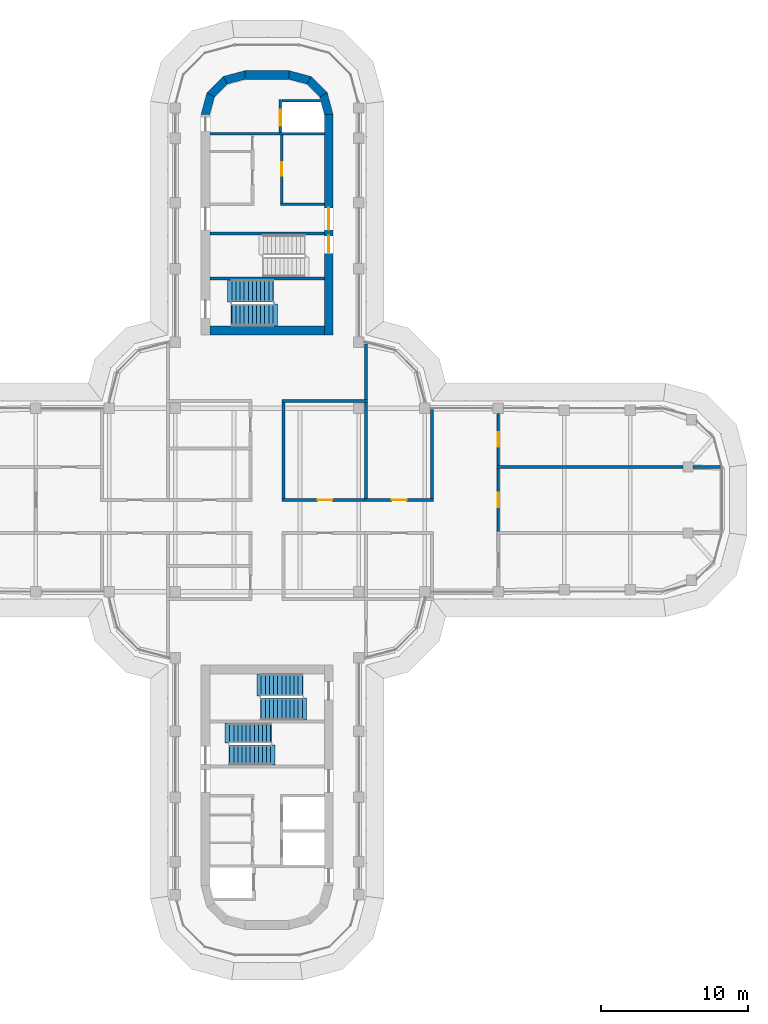
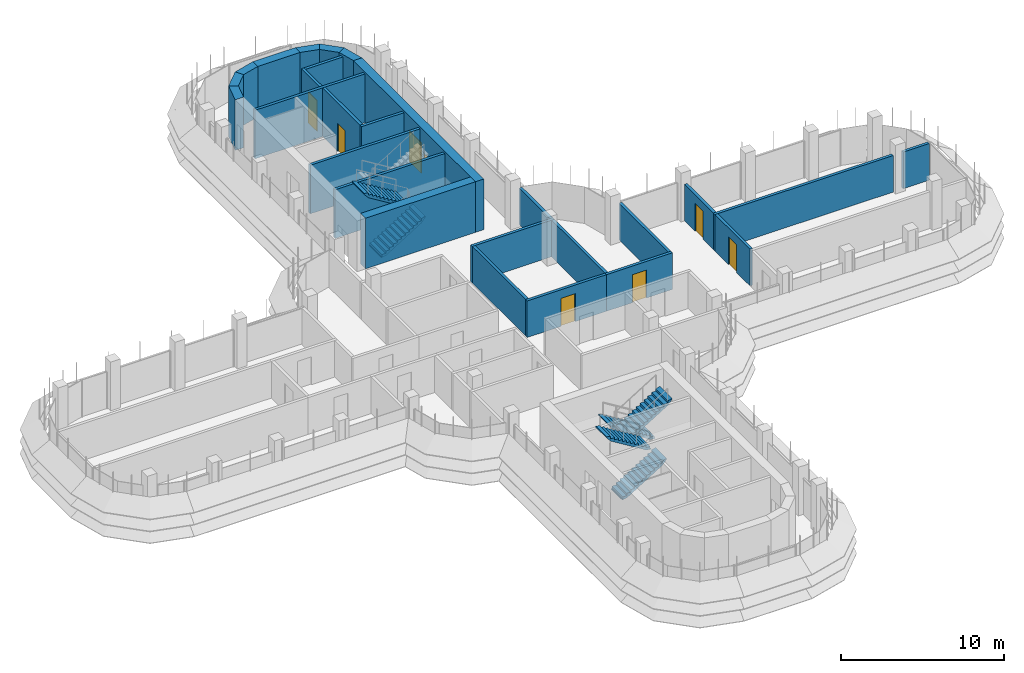
# One storey, part 15 of 19: 27 walls, 8 doors, 6 stair flights, 8 openings, 3 elements without a shape of their own.
"""IFC4 building model written with IfcOpenShell, lengths in metres."""

from ifc_helpers import new_model, si_unit, direction, frame, frame_2d, origin, place, context, subcontext, project, spatial, polyline, rectangle, outline, extrude, material, layer, layer_set, type_object, element, fill, aggregate, save


model = new_model("IFC4")

# Units and contexts
model_context = context("Model", 3, precision=1e-05, world=origin(), true_north=direction((0.0, 1.0)))
body_context = subcontext(model_context, "Body", "Model", "MODEL_VIEW")
ifc_project = project(units=[si_unit("LENGTHUNIT", "METRE"), si_unit("AREAUNIT", "SQUARE_METRE"), si_unit("VOLUMEUNIT", "CUBIC_METRE"), si_unit("PLANEANGLEUNIT", "RADIAN"), si_unit("MASSUNIT", "GRAM", prefix="KILO")], contexts=[model_context])

# Site, building, storey
site_placement = place(None, origin())
site = spatial("IfcSite", under=ifc_project, at=site_placement, CompositionType="ELEMENT")
building_placement = place(site_placement, origin())
building = spatial("IfcBuilding", under=site, at=building_placement, Name="Zarbagh Exchange Tower", CompositionType="ELEMENT")
storey_placement = place(building_placement, frame((0.0, 0.0, 195.39990234375)))
storey = spatial("IfcBuildingStorey", under=building, at=storey_placement, Name="L47", CompositionType="ELEMENT", Elevation=195.39990234375)

# Wall, opening, door
ifc_material_1 = material(Name="Fire-rated plasterboard partition")
ifc_layer_1 = layer(ifc_material_1, 0.199951171875)
ifc_layer_set_1 = layer_set([ifc_layer_1], Name="RATED PARTITION 200")
wall_type_1 = type_object("IfcWallType", Name="RATED PARTITION 200", PredefinedType="PARTITIONING", material=ifc_layer_set_1)
wall_1_placement = place(storey_placement, frame((1.02490234375, 0.0, 0.0), z_axis=(0.0, 0.0, 1.0), x_axis=(1.0, 0.0, 0.0)))
wall_1 = element("IfcWall", 1, at=wall_1_placement, inside=storey, type_object=wall_type_1, Name="Partition W-2101", PredefinedType="PARTITIONING", context=body_context, shape_type="SweptSolid", body=[
    extrude(rectangle(XDim=5.8251953125, YDim=0.199951171875, at=frame_2d((2.91259765625, 0.0))), origin(), (0.0, 0.0, 1.0), 2.75),
])
opening_1_placement = place(wall_1_placement, frame((2.41259765625, 0.0, 0.0)))
opening_1 = element("IfcOpeningElement", 2, at=opening_1_placement, cuts=wall_1, Name="Opening D-2104", PredefinedType="OPENING", context=body_context, shape_type="SweptSolid", body=[
    extrude(rectangle(XDim=1.0, YDim=2.10009765625, at=frame_2d((0.5, 1.050048828125))), frame((0.0, 0.10986328125, 0.0), z_axis=(0.0, -1.0, 0.0), x_axis=(1.0, 0.0, 0.0)), (0.0, 0.0, 1.0), 0.219970703125),
])
ifc_material_2 = material(Name="Steel door set", Category="steel")
door_type_1 = type_object("IfcDoorType", Name="FIRE DOOR 1000 X 2100 FD30S", OperationType="NOTDEFINED", PredefinedType="DOOR", material=ifc_material_2)
door_1_placement = place(opening_1_placement, origin())
door_1 = element("IfcDoor", 3, at=door_1_placement, inside=storey, type_object=door_type_1, Name="Door D-2104", OperationType="SINGLE_SWING_RIGHT", OverallHeight=2.10009765625, OverallWidth=1.0, PredefinedType="DOOR", context=body_context, shape_type="SweptSolid", body=[
    extrude(rectangle(XDim=1.0, YDim=2.10009765625, at=frame_2d((0.5, 1.050048828125))), frame((0.0, 0.02490234375, 0.0), z_axis=(0.0, -1.0, 0.0), x_axis=(1.0, 0.0, 0.0)), (0.0, 0.0, 1.0), 0.050048828125),
])
fill(opening_1, door_1)

wall_2_placement = place(storey_placement, frame((6.64990234375, 0.0, 0.0), z_axis=(0.0, 0.0, 1.0), x_axis=(1.0, 0.0, 0.0)))
wall_2 = element("IfcWall", 4, at=wall_2_placement, inside=storey, type_object=wall_type_1, Name="Partition W-2102", PredefinedType="PARTITIONING", context=body_context, shape_type="SweptSolid", body=[
    extrude(rectangle(XDim=4.7001953125, YDim=0.199951171875, at=frame_2d((2.35009765625, 0.0))), origin(), (0.0, 0.0, 1.0), 2.75),
])
opening_2_placement = place(wall_2_placement, frame((1.85009765625, 0.0, 0.0)))
opening_2 = element("IfcOpeningElement", 5, at=opening_2_placement, cuts=wall_2, Name="Opening D-2105", PredefinedType="OPENING", context=body_context, shape_type="SweptSolid", body=[
    extrude(rectangle(XDim=1.0, YDim=2.10009765625, at=frame_2d((0.5, 1.050048828125))), frame((0.0, 0.10986328125, 0.0), z_axis=(0.0, -1.0, 0.0), x_axis=(1.0, 0.0, 0.0)), (0.0, 0.0, 1.0), 0.219970703125),
])
door_2_placement = place(opening_2_placement, origin())
door_2 = element("IfcDoor", 6, at=door_2_placement, inside=storey, type_object=door_type_1, Name="Door D-2105", OperationType="SINGLE_SWING_RIGHT", OverallHeight=2.10009765625, OverallWidth=1.0, PredefinedType="DOOR", context=body_context, shape_type="SweptSolid", body=[
    extrude(rectangle(XDim=1.0, YDim=2.10009765625, at=frame_2d((0.5, 1.050048828125))), frame((0.0, 0.02490234375, 0.0), z_axis=(0.0, -1.0, 0.0), x_axis=(1.0, 0.0, 0.0)), (0.0, 0.0, 1.0), 0.050048828125),
])
fill(opening_2, door_2)

# Walls
wall_3_placement = place(storey_placement, frame((1.125, 0.10009765625, 0.0), z_axis=(0.0, 0.0, 1.0), x_axis=(0.0, 1.0, 0.0)))
element("IfcWall", 7, at=wall_3_placement, inside=storey, type_object=wall_type_1, Name="Partition W-2109", PredefinedType="PARTITIONING", context=body_context, shape_type="SweptSolid", body=[
    extrude(rectangle(XDim=6.5498046875, YDim=0.199951171875, at=frame_2d((3.27490234375, 0.0))), origin(), (0.0, 0.0, 1.0), 2.75),
])
wall_4_placement = place(storey_placement, frame((1.02490234375, 6.75, 0.0), z_axis=(0.0, 0.0, 1.0), x_axis=(1.0, 0.0, 0.0)))
element("IfcWall", 8, at=wall_4_placement, inside=storey, type_object=wall_type_1, Name="Partition W-2115", PredefinedType="PARTITIONING", context=body_context, shape_type="SweptSolid", body=[
    extrude(rectangle(XDim=5.8251953125, YDim=0.199951171875, at=frame_2d((2.91259765625, 0.0))), origin(), (0.0, 0.0, 1.0), 2.75),
])
wall_5_placement = place(storey_placement, frame((6.75, 6.85009765625, 0.0), z_axis=(0.0, 0.0, 1.0), x_axis=(0.0, 1.0, 0.0)))
element("IfcWall", 9, at=wall_5_placement, inside=storey, type_object=wall_type_1, Name="Partition W-2116", PredefinedType="PARTITIONING", context=body_context, shape_type="SweptSolid", body=[
    extrude(rectangle(XDim=3.77978515625, YDim=0.199951171875, at=frame_2d((1.889892578125, 0.0))), origin(), (0.0, 0.0, 1.0), 2.75),
])
wall_6_placement = place(storey_placement, frame((6.75, 0.10009765625, 0.0), z_axis=(0.0, 0.0, 1.0), x_axis=(0.0, 1.0, 0.0)))
element("IfcWall", 10, at=wall_6_placement, inside=storey, type_object=wall_type_1, Name="Partition W-2123", PredefinedType="PARTITIONING", context=body_context, shape_type="SweptSolid", body=[
    extrude(rectangle(XDim=6.5498046875, YDim=0.199951171875, at=frame_2d((3.27490234375, 0.0))), origin(), (0.0, 0.0, 1.0), 2.75),
])
wall_7_placement = place(storey_placement, frame((11.25, 0.10009765625, 0.0), z_axis=(0.0, 0.0, 1.0), x_axis=(0.0, 1.0, 0.0)))
element("IfcWall", 11, at=wall_7_placement, inside=storey, type_object=wall_type_1, Name="Partition W-2124", PredefinedType="PARTITIONING", context=body_context, shape_type="SweptSolid", body=[
    extrude(rectangle(XDim=6.06982421875, YDim=0.199951171875, at=frame_2d((3.034912109375, 0.0))), origin(), (0.0, 0.0, 1.0), 2.75),
])

# Wall, opening, door
wall_8_placement = place(storey_placement, frame((15.75, 2.14990234375, 0.0), z_axis=(0.0, 0.0, 1.0), x_axis=(0.0, -1.0, 0.0)))
wall_8 = element("IfcWall", 12, at=wall_8_placement, inside=storey, type_object=wall_type_1, Name="Partition W-2138", PredefinedType="PARTITIONING", context=body_context, shape_type="SweptSolid", body=[
    extrude(rectangle(XDim=4.2998046875, YDim=0.199951171875, at=frame_2d((2.14990234375, 0.0))), origin(), (0.0, 0.0, 1.0), 2.75),
])
opening_3_placement = place(wall_8_placement, frame((1.64990234375, 0.0, 0.0)))
opening_3 = element("IfcOpeningElement", 13, at=opening_3_placement, cuts=wall_8, Name="Opening D-2102", PredefinedType="OPENING", context=body_context, shape_type="SweptSolid", body=[
    extrude(rectangle(XDim=1.0, YDim=2.10009765625, at=frame_2d((0.5, 1.050048828125))), frame((0.0, 0.10986328125, 0.0), z_axis=(0.0, -1.0, 0.0), x_axis=(1.0, 0.0, 0.0)), (0.0, 0.0, 1.0), 0.219970703125),
])
door_3_placement = place(opening_3_placement, origin())
door_3 = element("IfcDoor", 14, at=door_3_placement, inside=storey, type_object=door_type_1, Name="Door D-2102", OperationType="SINGLE_SWING_RIGHT", OverallHeight=2.10009765625, OverallWidth=1.0, PredefinedType="DOOR", context=body_context, shape_type="SweptSolid", body=[
    extrude(rectangle(XDim=1.0, YDim=2.10009765625, at=frame_2d((0.5, 1.050048828125))), frame((0.0, 0.02490234375, 0.0), z_axis=(0.0, -1.0, 0.0), x_axis=(1.0, 0.0, 0.0)), (0.0, 0.0, 1.0), 0.050048828125),
])
fill(opening_3, door_3)

wall_9_placement = place(storey_placement, frame((15.75, 5.89990234375, 0.0), z_axis=(0.0, 0.0, 1.0), x_axis=(0.0, -1.0, 0.0)))
wall_9 = element("IfcWall", 15, at=wall_9_placement, inside=storey, type_object=wall_type_1, Name="Partition W-2139", PredefinedType="PARTITIONING", context=body_context, shape_type="SweptSolid", body=[
    extrude(rectangle(XDim=3.5498046875, YDim=0.199951171875, at=frame_2d((1.77490234375, 0.0))), origin(), (0.0, 0.0, 1.0), 2.75),
])
opening_4_placement = place(wall_9_placement, frame((1.27490234375, 0.0, 0.0)))
opening_4 = element("IfcOpeningElement", 16, at=opening_4_placement, cuts=wall_9, Name="Opening D-2103", PredefinedType="OPENING", context=body_context, shape_type="SweptSolid", body=[
    extrude(rectangle(XDim=1.0, YDim=2.10009765625, at=frame_2d((0.5, 1.050048828125))), frame((0.0, 0.10986328125, 0.0), z_axis=(0.0, -1.0, 0.0), x_axis=(1.0, 0.0, 0.0)), (0.0, 0.0, 1.0), 0.219970703125),
])
door_4_placement = place(opening_4_placement, origin())
door_4 = element("IfcDoor", 17, at=door_4_placement, inside=storey, type_object=door_type_1, Name="Door D-2103", OperationType="SINGLE_SWING_RIGHT", OverallHeight=2.10009765625, OverallWidth=1.0, PredefinedType="DOOR", context=body_context, shape_type="SweptSolid", body=[
    extrude(rectangle(XDim=1.0, YDim=2.10009765625, at=frame_2d((0.5, 1.050048828125))), frame((0.0, 0.02490234375, 0.0), z_axis=(0.0, -1.0, 0.0), x_axis=(1.0, 0.0, 0.0)), (0.0, 0.0, 1.0), 0.050048828125),
])
fill(opening_4, door_4)

# Walls
wall_10_placement = place(storey_placement, frame((15.64990234375, 2.25, 0.0), z_axis=(0.0, 0.0, 1.0), x_axis=(1.0, 0.0, 0.0)))
element("IfcWall", 18, at=wall_10_placement, inside=storey, type_object=wall_type_1, Name="Partition W-2142", PredefinedType="PARTITIONING", context=body_context, shape_type="SweptSolid", body=[
    extrude(rectangle(XDim=12.670166015625, YDim=0.199951171875, at=frame_2d((6.3349609375, 0.0))), origin(), (0.0, 0.0, 1.0), 2.75),
])
wall_11_placement = place(storey_placement, frame((29.02001953125, 2.25, 0.0), z_axis=(0.0, 0.0, 1.0), x_axis=(1.0, 0.0, 0.0)))
element("IfcWall", 19, at=wall_11_placement, inside=storey, type_object=wall_type_1, Name="Partition W-2143", PredefinedType="PARTITIONING", context=body_context, shape_type="SweptSolid", body=[
    extrude(rectangle(XDim=1.85986328125, YDim=0.199951171875, at=frame_2d((0.929931640625, 0.0))), origin(), (0.0, 0.0, 1.0), 2.75),
])
ifc_material_3 = material(Name="Concrete C50/60", Category="concrete")
ifc_layer_2 = layer(ifc_material_3, 0.60009765625)
ifc_layer_set_2 = layer_set([ifc_layer_2], Name="RC core corner wall 600 C50/60")
wall_type_2 = type_object("IfcWallType", Name="RC core corner wall 600 C50/60", PredefinedType="SHEAR", material=ifc_layer_set_2)
wall_12_placement = place(storey_placement, origin())
element("IfcWall", 20, at=wall_12_placement, inside=storey, type_object=wall_type_2, Name="CW8 core N corner W", PredefinedType="SHEAR", context=body_context, shape_type="SweptSolid", body=[
    extrude(outline(polyline([(-4.5, 26.25), (-4.09814453125, 27.75), (-3.57861328125, 27.449951171875), (-3.89990234375, 26.25), (-4.5, 26.25)])), origin(), (0.0, 0.0, 1.0), 3.800048828125),
])
wall_13_placement = place(storey_placement, origin())
element("IfcWall", 21, at=wall_13_placement, inside=storey, type_object=wall_type_2, Name="CW8 core N corner W", PredefinedType="SHEAR", context=body_context, shape_type="SweptSolid", body=[
    extrude(outline(polyline([(-4.09814453125, 27.75), (-3.0, 28.84814453125), (-2.699951171875, 28.32861328125), (-3.57861328125, 27.449951171875), (-4.09814453125, 27.75)])), origin(), (0.0, 0.0, 1.0), 3.800048828125),
])
wall_14_placement = place(storey_placement, origin())
element("IfcWall", 22, at=wall_14_placement, inside=storey, type_object=wall_type_2, Name="CW8 core N corner W", PredefinedType="SHEAR", context=body_context, shape_type="SweptSolid", body=[
    extrude(outline(polyline([(-3.0, 28.84814453125), (-1.5, 29.25), (-1.5, 28.64990234375), (-2.699951171875, 28.32861328125), (-3.0, 28.84814453125)])), origin(), (0.0, 0.0, 1.0), 3.800048828125),
])
wall_15_placement = place(storey_placement, origin())
element("IfcWall", 23, at=wall_15_placement, inside=storey, type_object=wall_type_2, Name="CW8 core N corner E", PredefinedType="SHEAR", context=body_context, shape_type="SweptSolid", body=[
    extrude(outline(polyline([(4.5, 26.25), (4.09814453125, 27.75), (3.57861328125, 27.449951171875), (3.89990234375, 26.25), (4.5, 26.25)])), origin(), (0.0, 0.0, 1.0), 3.800048828125),
])
wall_16_placement = place(storey_placement, origin())
element("IfcWall", 24, at=wall_16_placement, inside=storey, type_object=wall_type_2, Name="CW8 core N corner E", PredefinedType="SHEAR", context=body_context, shape_type="SweptSolid", body=[
    extrude(outline(polyline([(4.09814453125, 27.75), (3.0, 28.84814453125), (2.699951171875, 28.32861328125), (3.57861328125, 27.449951171875), (4.09814453125, 27.75)])), origin(), (0.0, 0.0, 1.0), 3.800048828125),
])
wall_17_placement = place(storey_placement, origin())
element("IfcWall", 25, at=wall_17_placement, inside=storey, type_object=wall_type_2, Name="CW8 core N corner E", PredefinedType="SHEAR", context=body_context, shape_type="SweptSolid", body=[
    extrude(outline(polyline([(3.0, 28.84814453125), (1.5, 29.25), (1.5, 28.64990234375), (2.699951171875, 28.32861328125), (3.0, 28.84814453125)])), origin(), (0.0, 0.0, 1.0), 3.800048828125),
])

# Wall, openings, doors
ifc_layer_3 = layer(ifc_material_3, 0.60009765625)
ifc_layer_set_3 = layer_set([ifc_layer_3], Name="RC core wall 600 C50/60")
wall_type_3 = type_object("IfcWallType", Name="RC core wall 600 C50/60", PredefinedType="SHEAR", material=ifc_layer_set_3)
wall_18_placement = place(storey_placement, frame((4.199951171875, 11.25, 0.0), z_axis=(0.0, 0.0, 1.0), x_axis=(0.0, 1.0, 0.0)))
wall_18 = element("IfcWall", 26, at=wall_18_placement, inside=storey, type_object=wall_type_3, Name="CW7 core N E", PredefinedType="SHEAR", context=body_context, shape_type="SweptSolid", body=[
    extrude(rectangle(XDim=15.0, YDim=0.60009765625, at=frame_2d((7.5, 0.0))), origin(), (0.0, 0.0, 1.0), 3.800048828125),
])
opening_5_placement = place(wall_18_placement, frame((7.14990234375, 0.0, 0.0)))
opening_5 = element("IfcOpeningElement", 27, at=opening_5_placement, cuts=wall_18, Name="Opening CD1-1500", PredefinedType="OPENING", context=body_context, shape_type="SweptSolid", body=[
    extrude(rectangle(XDim=1.5, YDim=2.300048828125, at=frame_2d((0.75, 1.14990234375))), frame((0.0, 0.31005859375, 0.0), z_axis=(0.0, -1.0, 0.0), x_axis=(1.0, 0.0, 0.0)), (0.0, 0.0, 1.0), 0.6201171875),
])
opening_6_placement = place(wall_18_placement, frame((5.550048828125, 0.0, 0.0)))
opening_6 = element("IfcOpeningElement", 28, at=opening_6_placement, cuts=wall_18, Name="Opening SD1-1200", PredefinedType="OPENING", context=body_context, shape_type="SweptSolid", body=[
    extrude(rectangle(XDim=1.199951171875, YDim=2.10009765625, at=frame_2d((0.60009765625, 1.050048828125))), frame((0.0, 0.31005859375, 0.0), z_axis=(0.0, -1.0, 0.0), x_axis=(1.0, 0.0, 0.0)), (0.0, 0.0, 1.0), 0.6201171875),
])
ifc_material_4 = material(Name="Steel", Category="steel")
door_type_2 = type_object("IfcDoorType", Name="Exit stair door 1200 x 2100", OperationType="NOTDEFINED", PredefinedType="DOOR", material=ifc_material_4)
door_5_placement = place(opening_6_placement, origin())
door_5 = element("IfcDoor", 29, at=door_5_placement, inside=storey, type_object=door_type_2, Name="North core stair door ST1", OperationType="SINGLE_SWING_RIGHT", OverallHeight=2.10009765625, OverallWidth=1.199951171875, PredefinedType="DOOR", context=body_context, shape_type="SweptSolid", body=[
    extrude(rectangle(XDim=1.199951171875, YDim=2.10009765625, at=frame_2d((0.60009765625, 1.050048828125))), frame((0.0, 0.02490234375, 0.0), z_axis=(0.0, -1.0, 0.0), x_axis=(1.0, 0.0, 0.0)), (0.0, 0.0, 1.0), 0.050048828125),
])
fill(opening_6, door_5)
door_type_3 = type_object("IfcDoorType", Name="Lift lobby double door 1500 x 2300", OperationType="NOTDEFINED", PredefinedType="DOOR", material=ifc_material_4)
door_6_placement = place(opening_5_placement, origin())
door_6 = element("IfcDoor", 30, at=door_6_placement, inside=storey, type_object=door_type_3, Name="North core lift lobby door LOBBY-E", OperationType="DOUBLE_DOOR_SINGLE_SWING", OverallHeight=2.300048828125, OverallWidth=1.5, PredefinedType="DOOR", context=body_context, shape_type="SweptSolid", body=[
    extrude(rectangle(XDim=1.5, YDim=2.300048828125, at=frame_2d((0.75, 1.14990234375))), frame((0.0, 0.02490234375, 0.0), z_axis=(0.0, -1.0, 0.0), x_axis=(1.0, 0.0, 0.0)), (0.0, 0.0, 1.0), 0.050048828125),
])
fill(opening_5, door_6)

# Walls
wall_19_placement = place(storey_placement, frame((-3.89990234375, 11.550048828125, 0.0), z_axis=(0.0, 0.0, 1.0), x_axis=(1.0, 0.0, 0.0)))
element("IfcWall", 31, at=wall_19_placement, inside=storey, type_object=wall_type_3, Name="CW7 core N inner end", PredefinedType="SHEAR", context=body_context, shape_type="SweptSolid", body=[
    extrude(rectangle(XDim=7.7998046875, YDim=0.60009765625, at=frame_2d((3.89990234375, 0.0))), origin(), (0.0, 0.0, 1.0), 3.800048828125),
])
wall_20_placement = place(storey_placement, frame((-1.5, 28.949951171875, 0.0), z_axis=(0.0, 0.0, 1.0), x_axis=(1.0, 0.0, 0.0)))
element("IfcWall", 32, at=wall_20_placement, inside=storey, type_object=wall_type_3, Name="CW7 core N outer end", PredefinedType="SHEAR", context=body_context, shape_type="SweptSolid", body=[
    extrude(rectangle(XDim=3.0, YDim=0.60009765625, at=frame_2d((1.5, 0.0))), origin(), (0.0, 0.0, 1.0), 3.800048828125),
])
ifc_material_5 = material(Name="Dense blockwork", Category="masonry")
ifc_layer_4 = layer(ifc_material_5, 0.199951171875)
ifc_layer_set_4 = layer_set([ifc_layer_4], Name="Shaft wall 200 mm blockwork")
wall_type_4 = type_object("IfcWallType", Name="Shaft wall 200 mm blockwork", PredefinedType="PARTITIONING", material=ifc_layer_set_4)
wall_21_placement = place(storey_placement, frame((0.89990234375, 20.14990234375, 0.0), z_axis=(0.0, 0.0, 1.0), x_axis=(1.0, 0.0, 0.0)))
element("IfcWall", 33, at=wall_21_placement, inside=storey, type_object=wall_type_4, Name="North core shaft wall AB-E", PredefinedType="PARTITIONING", context=body_context, shape_type="SweptSolid", body=[
    extrude(rectangle(XDim=3.0, YDim=0.199951171875, at=frame_2d((1.5, 0.0))), origin(), (0.0, 0.0, 1.0), 3.650146484375),
])

# Wall, opening, door
wall_22_placement = place(storey_placement, frame((1.0, 24.85009765625, 0.0), z_axis=(0.0, 0.0, 1.0), x_axis=(0.0, -1.0, 0.0)))
wall_22 = element("IfcWall", 34, at=wall_22_placement, inside=storey, type_object=wall_type_4, Name="North core shaft wall LW-E", PredefinedType="PARTITIONING", context=body_context, shape_type="SweptSolid", body=[
    extrude(rectangle(XDim=4.60009765625, YDim=0.199951171875, at=frame_2d((2.300048828125, 0.0))), origin(), (0.0, 0.0, 1.0), 3.650146484375),
])
opening_7_placement = place(wall_22_placement, frame((1.85009765625, 0.0, 0.0)))
opening_7 = element("IfcOpeningElement", 35, at=opening_7_placement, cuts=wall_22, Name="Opening CD3-900", PredefinedType="OPENING", context=body_context, shape_type="SweptSolid", body=[
    extrude(rectangle(XDim=0.89990234375, YDim=2.10009765625, at=frame_2d((0.449951171875, 1.050048828125))), frame((0.0, 0.10986328125, 0.0), z_axis=(0.0, -1.0, 0.0), x_axis=(1.0, 0.0, 0.0)), (0.0, 0.0, 1.0), 0.219970703125),
])
door_type_4 = type_object("IfcDoorType", Name="Core room door 900 x 2100", OperationType="NOTDEFINED", PredefinedType="DOOR", material=ifc_material_4)
door_7_placement = place(opening_7_placement, origin())
door_7 = element("IfcDoor", 36, at=door_7_placement, inside=storey, type_object=door_type_4, Name="North core Riser store door RD-E-0", OperationType="SINGLE_SWING_RIGHT", OverallHeight=2.10009765625, OverallWidth=0.89990234375, PredefinedType="DOOR", context=body_context, shape_type="SweptSolid", body=[
    extrude(rectangle(XDim=0.89990234375, YDim=2.10009765625, at=frame_2d((0.449951171875, 1.050048828125))), frame((0.0, 0.02490234375, 0.0), z_axis=(0.0, -1.0, 0.0), x_axis=(1.0, 0.0, 0.0)), (0.0, 0.0, 1.0), 0.050048828125),
])
fill(opening_7, door_7)

# Wall
ifc_material_6 = material(Name="Concrete C40/50", Category="concrete")
ifc_layer_5 = layer(ifc_material_6, 0.199951171875)
ifc_layer_set_5 = layer_set([ifc_layer_5], Name="Stair enclosure wall 200 mm RC C40/50")
wall_type_5 = type_object("IfcWallType", Name="Stair enclosure wall 200 mm RC C40/50", PredefinedType="SHEAR", material=ifc_layer_set_5)
wall_23_placement = place(storey_placement, frame((-3.89990234375, 24.949951171875, 0.0), z_axis=(0.0, 0.0, 1.0), x_axis=(1.0, 0.0, 0.0)))
element("IfcWall", 37, at=wall_23_placement, inside=storey, type_object=wall_type_5, Name="North core lift shaft wall FFA", PredefinedType="SHEAR", context=body_context, shape_type="SweptSolid", body=[
    extrude(rectangle(XDim=7.7998046875, YDim=0.199951171875, at=frame_2d((3.89990234375, 0.0))), origin(), (0.0, 0.0, 1.0), 3.650146484375),
])

# Wall, opening, door
wall_24_placement = place(storey_placement, frame((0.89990234375, 27.300048828125, 0.0), z_axis=(0.0, 0.0, 1.0), x_axis=(0.0, -1.0, 0.0)))
wall_24 = element("IfcWall", 38, at=wall_24_placement, inside=storey, type_object=wall_type_5, Name="North core lift shaft wall FFL", PredefinedType="SHEAR", context=body_context, shape_type="SweptSolid", body=[
    extrude(rectangle(XDim=2.25, YDim=0.199951171875, at=frame_2d((1.125, 0.0))), origin(), (0.0, 0.0, 1.0), 3.650146484375),
])
opening_8_placement = place(wall_24_placement, frame((0.699951171875, 0.0, 0.0)))
opening_8 = element("IfcOpeningElement", 39, at=opening_8_placement, cuts=wall_24, Name="Opening LD-1100", PredefinedType="OPENING", context=body_context, shape_type="SweptSolid", body=[
    extrude(rectangle(XDim=1.10009765625, YDim=2.300048828125, at=frame_2d((0.550048828125, 1.14990234375))), frame((0.0, 0.10986328125, 0.0), z_axis=(0.0, -1.0, 0.0), x_axis=(1.0, 0.0, 0.0)), (0.0, 0.0, 1.0), 0.219970703125),
])
ifc_material_7 = material(Name="Stainless steel", Category="steel")
door_type_5 = type_object("IfcDoorType", Name="Lift landing door 1100 x 2300", OperationType="NOTDEFINED", PredefinedType="DOOR", material=ifc_material_7)
door_8_placement = place(opening_8_placement, origin())
door_8 = element("IfcDoor", 40, at=door_8_placement, inside=storey, type_object=door_type_5, Name="North core lift landing door LD-F", OperationType="DOUBLE_DOOR_SLIDING", OverallHeight=2.300048828125, OverallWidth=1.10009765625, PredefinedType="DOOR", context=body_context, shape_type="SweptSolid", body=[
    extrude(rectangle(XDim=1.10009765625, YDim=2.300048828125, at=frame_2d((0.550048828125, 1.14990234375))), frame((0.0, 0.02490234375, 0.0), z_axis=(0.0, -1.0, 0.0), x_axis=(1.0, 0.0, 0.0)), (0.0, 0.0, 1.0), 0.050048828125),
])
fill(opening_8, door_8)

# Walls
wall_25_placement = place(storey_placement, origin())
element("IfcWall", 41, at=wall_25_placement, inside=storey, type_object=wall_type_5, Name="North core lift shaft wall FFX", PredefinedType="SHEAR", context=body_context, shape_type="SweptSolid", body=[
    extrude(outline(polyline([(1.0, 27.10009765625), (3.651123046875, 27.10009765625), (3.597412109375, 27.300048828125), (1.0, 27.300048828125), (1.0, 27.10009765625)])), origin(), (0.0, 0.0, 1.0), 3.650146484375),
])
for number, where, z_axis, x_axis, name in (
    (42, (-3.89990234375, 18.14990234375, 0.0), (0.0, 0.0, 1.0), (1.0, 0.0, 0.0), "North core stair wall BS"),
    (43, (-3.89990234375, 15.10009765625, 0.0), (0.0, 0.0, 1.0), (1.0, 0.0, 0.0), "North core stair wall ST12"),
):
    element("IfcWall", number, at=place(storey_placement, frame(where, z_axis=z_axis, x_axis=x_axis)), inside=storey, type_object=wall_type_5, Name=name, PredefinedType="SHEAR", context=body_context, shape_type="SweptSolid", body=[
        extrude(rectangle(XDim=7.7998046875, YDim=0.199951171875, at=frame_2d((3.89990234375, 0.0))), origin(), (0.0, 0.0, 1.0), 3.650146484375),
    ])

# Stair, stair flights
stair_type = type_object("IfcStairType", Name="Exit stair two-flight half-turn", PredefinedType="HALF_TURN_STAIR", material=ifc_material_6)
stair_1_placement = place(storey_placement, origin())
stair_1 = element("IfcStair", 44, at=stair_1_placement, inside=storey, type_object=stair_type, Name="exit stair ST3", PredefinedType="HALF_TURN_STAIR")
stair_flight_type_1 = type_object("IfcStairFlightType", Name="Stair flight 1350 mm", PredefinedType="STRAIGHT", material=ifc_material_6)
stair_flight_1_placement = place(storey_placement, frame((-2.550048828125, -17.375, 0.0), z_axis=(0.0, 0.0, 1.0), x_axis=(1.0, 0.0, 0.0)))
stair_flight_1 = element("IfcStairFlight", 45, at=stair_flight_1_placement, type_object=stair_flight_type_1, Name="ST3 flight 1", NumberOfRisers=11, NumberOfTreads=10, PredefinedType="STRAIGHT", RiserHeight=0.172727273, TreadLength=0.28, context=body_context, shape_type="SweptSolid", body=[
    extrude(outline(polyline([(-0.050048828125, -0.050048828125), (-0.050048828125, 0.0), (0.0, 0.0), (0.0, 0.172607421875), (0.280029296875, 0.172607421875), (0.280029296875, 0.345458984375), (0.56005859375, 0.345458984375), (0.56005859375, 0.51806640625), (0.840087890625, 0.51806640625), (0.840087890625, 0.69091796875), (1.1201171875, 0.69091796875), (1.1201171875, 0.863525390625), (1.39990234375, 0.863525390625), (1.39990234375, 1.036376953125), (1.679931640625, 1.036376953125), (1.679931640625, 1.208984375), (1.9599609375, 1.208984375), (1.9599609375, 1.3818359375), (2.239990234375, 1.3818359375), (2.239990234375, 1.554443359375), (2.52001953125, 1.554443359375), (2.52001953125, 1.727294921875), (2.800048828125, 1.727294921875), (2.800048828125, 1.89990234375), (3.10009765625, 1.97998046875), (3.10009765625, 1.89990234375), (2.800048828125, 1.551025390625), (0.285400390625, 0.0), (-0.050048828125, -0.050048828125)])), frame((0.0, 0.675048828125, 0.0), z_axis=(0.0, -1.0, 0.0), x_axis=(1.0, 0.0, 0.0)), (0.0, 0.0, 1.0), 1.35009765625),
])
stair_flight_2_placement = place(storey_placement, frame((0.25, -15.875, 1.900146484375), z_axis=(0.0, 0.0, 1.0), x_axis=(-1.0, 0.0, 0.0)))
stair_flight_2 = element("IfcStairFlight", 46, at=stair_flight_2_placement, type_object=stair_flight_type_1, Name="ST3 flight 2", NumberOfRisers=11, NumberOfTreads=10, PredefinedType="STRAIGHT", RiserHeight=0.172727273, TreadLength=0.28, context=body_context, shape_type="SweptSolid", body=[
    extrude(outline(polyline([(-0.050048828125, -0.050048828125), (-0.050048828125, 0.0), (0.0, 0.0), (0.0, 0.172607421875), (0.280029296875, 0.172607421875), (0.280029296875, 0.345458984375), (0.56005859375, 0.345458984375), (0.56005859375, 0.51806640625), (0.840087890625, 0.51806640625), (0.840087890625, 0.69091796875), (1.1201171875, 0.69091796875), (1.1201171875, 0.863525390625), (1.39990234375, 0.863525390625), (1.39990234375, 1.036376953125), (1.679931640625, 1.036376953125), (1.679931640625, 1.208984375), (1.9599609375, 1.208984375), (1.9599609375, 1.3818359375), (2.239990234375, 1.3818359375), (2.239990234375, 1.554443359375), (2.52001953125, 1.554443359375), (2.52001953125, 1.727294921875), (2.800048828125, 1.727294921875), (2.800048828125, 1.89990234375), (3.10009765625, 1.97998046875), (3.10009765625, 1.89990234375), (2.800048828125, 1.551025390625), (0.285400390625, 0.0), (-0.050048828125, -0.050048828125)])), frame((0.0, 0.675048828125, 0.0), z_axis=(0.0, -1.0, 0.0), x_axis=(1.0, 0.0, 0.0)), (0.0, 0.0, 1.0), 1.35009765625),
])
aggregate(stair_1, [stair_flight_1, stair_flight_2])

stair_2_placement = place(storey_placement, origin())
stair_2 = element("IfcStair", 47, at=stair_2_placement, inside=storey, type_object=stair_type, Name="exit stair ST2", PredefinedType="HALF_TURN_STAIR")
stair_flight_type_2 = type_object("IfcStairFlightType", Name="Stair flight 1500 mm", PredefinedType="STRAIGHT", material=ifc_material_6)
stair_flight_3_placement = place(storey_placement, frame((-2.39990234375, 12.60009765625, 0.0), z_axis=(0.0, 0.0, 1.0), x_axis=(1.0, 0.0, 0.0)))
stair_flight_3 = element("IfcStairFlight", 48, at=stair_flight_3_placement, type_object=stair_flight_type_2, Name="ST2 flight 1", NumberOfRisers=11, NumberOfTreads=10, PredefinedType="STRAIGHT", RiserHeight=0.172727273, TreadLength=0.28, context=body_context, shape_type="SweptSolid", body=[
    extrude(outline(polyline([(-0.050048828125, -0.050048828125), (-0.050048828125, 0.0), (0.0, 0.0), (0.0, 0.172607421875), (0.280029296875, 0.172607421875), (0.280029296875, 0.345458984375), (0.56005859375, 0.345458984375), (0.56005859375, 0.51806640625), (0.840087890625, 0.51806640625), (0.840087890625, 0.69091796875), (1.1201171875, 0.69091796875), (1.1201171875, 0.863525390625), (1.39990234375, 0.863525390625), (1.39990234375, 1.036376953125), (1.679931640625, 1.036376953125), (1.679931640625, 1.208984375), (1.9599609375, 1.208984375), (1.9599609375, 1.3818359375), (2.239990234375, 1.3818359375), (2.239990234375, 1.554443359375), (2.52001953125, 1.554443359375), (2.52001953125, 1.727294921875), (2.800048828125, 1.727294921875), (2.800048828125, 1.89990234375), (3.10009765625, 1.97998046875), (3.10009765625, 1.89990234375), (2.800048828125, 1.551025390625), (0.285400390625, 0.0), (-0.050048828125, -0.050048828125)])), frame((0.0, 0.75, 0.0), z_axis=(0.0, -1.0, 0.0), x_axis=(1.0, 0.0, 0.0)), (0.0, 0.0, 1.0), 1.5),
])
stair_flight_4_placement = place(storey_placement, frame((0.39990234375, 14.25, 1.900146484375), z_axis=(0.0, 0.0, 1.0), x_axis=(-1.0, 0.0, 0.0)))
stair_flight_4 = element("IfcStairFlight", 49, at=stair_flight_4_placement, type_object=stair_flight_type_2, Name="ST2 flight 2", NumberOfRisers=11, NumberOfTreads=10, PredefinedType="STRAIGHT", RiserHeight=0.172727273, TreadLength=0.28, context=body_context, shape_type="SweptSolid", body=[
    extrude(outline(polyline([(-0.050048828125, -0.050048828125), (-0.050048828125, 0.0), (0.0, 0.0), (0.0, 0.172607421875), (0.280029296875, 0.172607421875), (0.280029296875, 0.345458984375), (0.56005859375, 0.345458984375), (0.56005859375, 0.51806640625), (0.840087890625, 0.51806640625), (0.840087890625, 0.69091796875), (1.1201171875, 0.69091796875), (1.1201171875, 0.863525390625), (1.39990234375, 0.863525390625), (1.39990234375, 1.036376953125), (1.679931640625, 1.036376953125), (1.679931640625, 1.208984375), (1.9599609375, 1.208984375), (1.9599609375, 1.3818359375), (2.239990234375, 1.3818359375), (2.239990234375, 1.554443359375), (2.52001953125, 1.554443359375), (2.52001953125, 1.727294921875), (2.800048828125, 1.727294921875), (2.800048828125, 1.89990234375), (3.10009765625, 1.97998046875), (3.10009765625, 1.89990234375), (2.800048828125, 1.551025390625), (0.285400390625, 0.0), (-0.050048828125, -0.050048828125)])), frame((0.0, 0.75, 0.0), z_axis=(0.0, -1.0, 0.0), x_axis=(1.0, 0.0, 0.0)), (0.0, 0.0, 1.0), 1.5),
])
aggregate(stair_2, [stair_flight_3, stair_flight_4])

stair_3_placement = place(storey_placement, origin())
stair_3 = element("IfcStair", 50, at=stair_3_placement, inside=storey, type_object=stair_type, Name="exit stair ST4", PredefinedType="HALF_TURN_STAIR")
stair_flight_5_placement = place(storey_placement, frame((2.39990234375, -12.60009765625, 0.0), z_axis=(0.0, 0.0, 1.0), x_axis=(-1.0, 0.0, 0.0)))
stair_flight_5 = element("IfcStairFlight", 51, at=stair_flight_5_placement, type_object=stair_flight_type_2, Name="ST4 flight 1", NumberOfRisers=11, NumberOfTreads=10, PredefinedType="STRAIGHT", RiserHeight=0.172727273, TreadLength=0.28, context=body_context, shape_type="SweptSolid", body=[
    extrude(outline(polyline([(-0.050048828125, -0.050048828125), (-0.050048828125, 0.0), (0.0, 0.0), (0.0, 0.172607421875), (0.280029296875, 0.172607421875), (0.280029296875, 0.345458984375), (0.56005859375, 0.345458984375), (0.56005859375, 0.51806640625), (0.840087890625, 0.51806640625), (0.840087890625, 0.69091796875), (1.1201171875, 0.69091796875), (1.1201171875, 0.863525390625), (1.39990234375, 0.863525390625), (1.39990234375, 1.036376953125), (1.679931640625, 1.036376953125), (1.679931640625, 1.208984375), (1.9599609375, 1.208984375), (1.9599609375, 1.3818359375), (2.239990234375, 1.3818359375), (2.239990234375, 1.554443359375), (2.52001953125, 1.554443359375), (2.52001953125, 1.727294921875), (2.800048828125, 1.727294921875), (2.800048828125, 1.89990234375), (3.10009765625, 1.97998046875), (3.10009765625, 1.89990234375), (2.800048828125, 1.551025390625), (0.285400390625, 0.0), (-0.050048828125, -0.050048828125)])), frame((0.0, 0.75, 0.0), z_axis=(0.0, -1.0, 0.0), x_axis=(1.0, 0.0, 0.0)), (0.0, 0.0, 1.0), 1.5),
])
stair_flight_6_placement = place(storey_placement, frame((-0.39990234375, -14.25, 1.900146484375), z_axis=(0.0, 0.0, 1.0), x_axis=(1.0, 0.0, 0.0)))
stair_flight_6 = element("IfcStairFlight", 52, at=stair_flight_6_placement, type_object=stair_flight_type_2, Name="ST4 flight 2", NumberOfRisers=11, NumberOfTreads=10, PredefinedType="STRAIGHT", RiserHeight=0.172727273, TreadLength=0.28, context=body_context, shape_type="SweptSolid", body=[
    extrude(outline(polyline([(-0.050048828125, -0.050048828125), (-0.050048828125, 0.0), (0.0, 0.0), (0.0, 0.172607421875), (0.280029296875, 0.172607421875), (0.280029296875, 0.345458984375), (0.56005859375, 0.345458984375), (0.56005859375, 0.51806640625), (0.840087890625, 0.51806640625), (0.840087890625, 0.69091796875), (1.1201171875, 0.69091796875), (1.1201171875, 0.863525390625), (1.39990234375, 0.863525390625), (1.39990234375, 1.036376953125), (1.679931640625, 1.036376953125), (1.679931640625, 1.208984375), (1.9599609375, 1.208984375), (1.9599609375, 1.3818359375), (2.239990234375, 1.3818359375), (2.239990234375, 1.554443359375), (2.52001953125, 1.554443359375), (2.52001953125, 1.727294921875), (2.800048828125, 1.727294921875), (2.800048828125, 1.89990234375), (3.10009765625, 1.97998046875), (3.10009765625, 1.89990234375), (2.800048828125, 1.551025390625), (0.285400390625, 0.0), (-0.050048828125, -0.050048828125)])), frame((0.0, 0.75, 0.0), z_axis=(0.0, -1.0, 0.0), x_axis=(1.0, 0.0, 0.0)), (0.0, 0.0, 1.0), 1.5),
])
aggregate(stair_3, [stair_flight_5, stair_flight_6])

save(model, "model.ifc")
